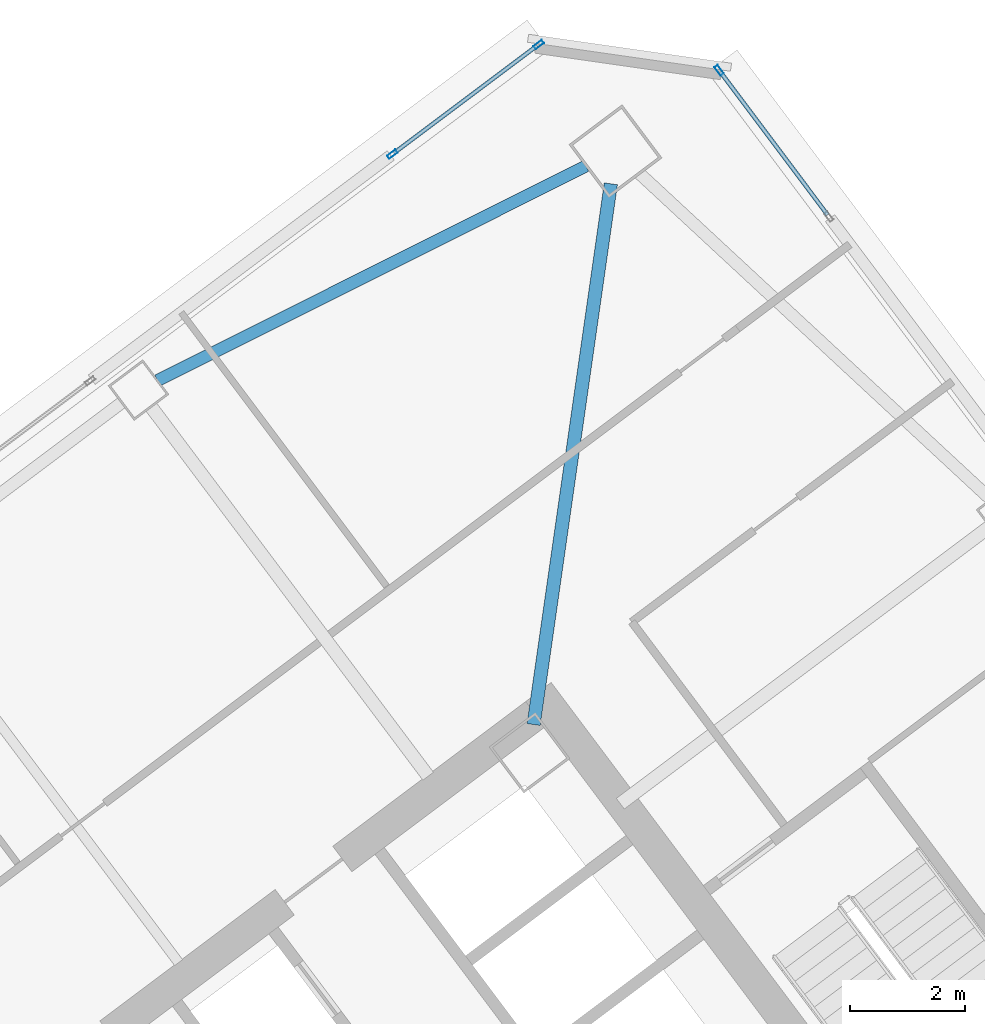
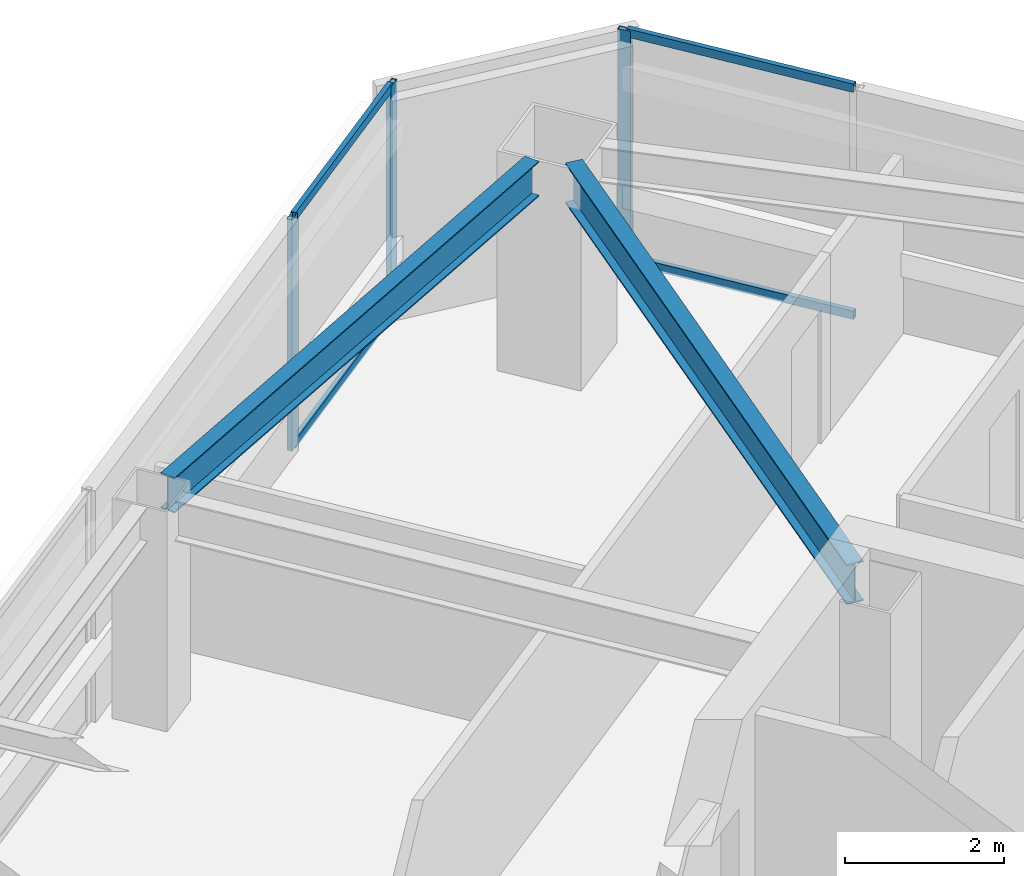
# One storey, part 27 of 41: 7 members, 2 beams, 2 elements without a shape of their own.
"""IFC4 building model written with IfcOpenShell, lengths in metres."""

from ifc_helpers import new_model, si_unit, direction, frame, origin, origin_2d, place, context, subcontext, project, spatial, hollow_rectangle, i_section, extrude, material, material_profile, profile_set, type_object, element, aggregate, save


model = new_model("IFC4")

# Units and contexts
model_context = context("Model", 3, precision=1e-05, world=origin(), true_north=direction((0.0, 1.0)))
body_context = subcontext(model_context, "Body", "Model", "MODEL_VIEW")
ifc_project = project(units=[si_unit("LENGTHUNIT", "METRE"), si_unit("AREAUNIT", "SQUARE_METRE"), si_unit("VOLUMEUNIT", "CUBIC_METRE"), si_unit("PLANEANGLEUNIT", "RADIAN"), si_unit("MASSUNIT", "GRAM", prefix="KILO")], contexts=[model_context])

# Site, building, storey
site_placement = place(None, origin())
site = spatial("IfcSite", under=ifc_project, at=site_placement, CompositionType="ELEMENT")
building_placement = place(site_placement, origin())
building = spatial("IfcBuilding", under=site, at=building_placement, Name="Tashvorn Skyway Center", CompositionType="ELEMENT")
storey_placement = place(building_placement, frame((0.0, 0.0, 171.199951171875)))
storey = spatial("IfcBuildingStorey", under=building, at=storey_placement, Name="L46", CompositionType="ELEMENT", Elevation=171.199951171875)

# Beams
ifc_material_1 = material(Name="Steel ASTM A992 Grade 50", Category="steel")
ifc_material_profile_1 = material_profile(ifc_material_1, i_section(OverallWidth=0.22998046875, OverallDepth=0.616943359375, WebThickness=0.01318359375, FlangeThickness=0.022216796875, at=origin_2d()), Name="W24X94")
ifc_profile_set_1 = profile_set([ifc_material_profile_1], Name="Steel ASTM A992 Grade 50")
beam_type_1 = type_object("IfcBeamType", Name="BM-BEAM-W24X94", PredefinedType="BEAM", material=ifc_profile_set_1)
beam_1_placement = place(storey_placement, frame((116.8193359375, 51.73583984375, 3.0615234375), z_axis=(-0.141417747326, -0.989950009213, 0.0), x_axis=(0.989950009213, -0.141417747326, 0.0)))
element("IfcBeam", 1, at=beam_1_placement, inside=storey, type_object=beam_type_1, Name="Tower 2 L46 Primary Floor Girder MC-NE", PredefinedType="BEAM", context=body_context, shape_type="SweptSolid", body=[
    extrude(i_section(OverallWidth=0.22998046875, OverallDepth=0.616943359375, WebThickness=0.01318359375, FlangeThickness=0.022216796875, at=origin_2d()), origin(), (0.0, 0.0, 1.0), 9.470947265625),
])
ifc_material_profile_2 = material_profile(ifc_material_1, i_section(OverallWidth=0.2109375, OverallDepth=0.5390625, WebThickness=0.01171875, FlangeThickness=0.018798828125, at=origin_2d()), Name="W21X73")
ifc_profile_set_2 = profile_set([ifc_material_profile_2], Name="Steel ASTM A992 Grade 50")
beam_type_2 = type_object("IfcBeamType", Name="BM-SPANDREL-W21X73", PredefinedType="SPANDREL", material=ifc_profile_set_2)
beam_2_placement = place(storey_placement, frame((116.390380859375, 52.044921875, 3.1005859375), z_axis=(-0.894209637559, -0.447648438059, 0.0), x_axis=(0.447648438059, -0.894209637559, 0.0)))
element("IfcBeam", 2, at=beam_2_placement, inside=storey, type_object=beam_type_2, Name="Tower 2 L46 Spandrel Beam 07", PredefinedType="SPANDREL", context=body_context, shape_type="SweptSolid", body=[
    extrude(i_section(OverallWidth=0.2109375, OverallDepth=0.5390625, WebThickness=0.01171875, FlangeThickness=0.018798828125, at=origin_2d()), origin(), (0.0, 0.0, 1.0), 8.308349609375),
])

# Curtain wall, members
ifc_material_2 = material(Name="Thermally broken bronze-anodized aluminium 6063-T6", Category="aluminium")
curtain_wall_type = type_object("IfcCurtainWallType", Name="CW-CW-Z4", PredefinedType="NOTDEFINED", material=ifc_material_2)
curtain_wall_1_placement = place(storey_placement, origin())
curtain_wall_1 = element("IfcCurtainWall", 3, at=curtain_wall_1_placement, inside=storey, type_object=curtain_wall_type, Name="Tower 2 L46 North Unitised Curtain Wall Glazing Group 3", PredefinedType="NOTDEFINED")
ifc_material_profile_3 = material_profile(ifc_material_2, hollow_rectangle(XDim=0.070068359375, YDim=0.179931640625, WallThickness=0.00390625, at=origin_2d()), Name="ALU-MULL-70x180")
ifc_profile_set_3 = profile_set([ifc_material_profile_3], Name="Thermally broken bronze-anodized aluminium 6063-T6")
member_type_1 = type_object("IfcMemberType", Name="CWM-CW-Z4", PredefinedType="MULLION", material=ifc_profile_set_3)
member_1_placement = place(storey_placement, frame((113.031982421875, 52.2490234375, 0.0), z_axis=(0.0, 0.0, 1.0), x_axis=(-0.600000000002, 0.799999999998, 0.0)))
member_1 = element("IfcMember", 4, at=member_1_placement, type_object=member_type_1, Name="CW-Z4 mullion 1", PredefinedType="MULLION", context=body_context, shape_type="SweptSolid", body=[
    extrude(hollow_rectangle(XDim=0.070068359375, YDim=0.179931640625, WallThickness=0.00390625, at=origin_2d()), origin(), (0.0, 0.0, 1.0), 3.550048828125),
])
member_2_placement = place(storey_placement, frame((115.568115234375, 54.15087890625, 0.0), z_axis=(0.0, 0.0, 1.0), x_axis=(-0.600000000002, 0.799999999998, 0.0)))
member_2 = element("IfcMember", 5, at=member_2_placement, type_object=member_type_1, Name="CW-Z4 mullion 2", PredefinedType="MULLION", context=body_context, shape_type="SweptSolid", body=[
    extrude(hollow_rectangle(XDim=0.070068359375, YDim=0.179931640625, WallThickness=0.00390625, at=origin_2d()), origin(), (0.0, 0.0, 1.0), 3.550048828125),
])

# Curtain wall, member
curtain_wall_2_placement = place(storey_placement, origin())
curtain_wall_2 = element("IfcCurtainWall", 6, at=curtain_wall_2_placement, inside=storey, type_object=curtain_wall_type, Name="Tower 2 L46 East Unitised Curtain Wall Glazing Group 1", PredefinedType="NOTDEFINED")
member_3_placement = place(storey_placement, frame((118.697021484375, 53.7041015625, 0.0), z_axis=(0.0, 0.0, 1.0), x_axis=(0.799999999998, 0.600000000002, 0.0)))
member_3 = element("IfcMember", 7, at=member_3_placement, type_object=member_type_1, Name="CW-Z4 mullion 1", PredefinedType="MULLION", context=body_context, shape_type="SweptSolid", body=[
    extrude(hollow_rectangle(XDim=0.070068359375, YDim=0.179931640625, WallThickness=0.00390625, at=origin_2d()), origin(), (0.0, 0.0, 1.0), 3.550048828125),
])

# Member
ifc_material_profile_4 = material_profile(ifc_material_2, hollow_rectangle(XDim=0.070068359375, YDim=0.1298828125, WallThickness=0.00390625, at=origin_2d()), Name="ALU-TRAN-70x130")
ifc_profile_set_4 = profile_set([ifc_material_profile_4], Name="Thermally broken bronze-anodized aluminium 6063-T6")
member_type_2 = type_object("IfcMemberType", Name="CWT-CW-Z4", PredefinedType="USERDEFINED", material=ifc_profile_set_4)
member_4_placement = place(storey_placement, frame((113.06005859375, 52.27001953125, 0.03515625), z_axis=(0.800018901408, 0.599974797295, 0.0), x_axis=(-0.599974797295, 0.800018901408, 0.0)))
member_4 = element("IfcMember", 8, at=member_4_placement, type_object=member_type_2, Name="CW-Z4 transom 1.1", ObjectType="TRANSOM", PredefinedType="USERDEFINED", context=body_context, shape_type="SweptSolid", body=[
    extrude(hollow_rectangle(XDim=0.070068359375, YDim=0.1298828125, WallThickness=0.00390625, at=origin_2d()), origin(), (0.0, 0.0, 1.0), 3.099853515625),
])

member_5_placement = place(storey_placement, frame((113.06005859375, 52.27001953125, 3.51513671875), z_axis=(0.800018901408, 0.599974797295, 0.0), x_axis=(-0.599974797295, 0.800018901408, 0.0)))
member_5 = element("IfcMember", 9, at=member_5_placement, type_object=member_type_2, Name="CW-Z4 transom 1.2", ObjectType="TRANSOM", PredefinedType="USERDEFINED", context=body_context, shape_type="SweptSolid", body=[
    extrude(hollow_rectangle(XDim=0.070068359375, YDim=0.1298828125, WallThickness=0.00390625, at=origin_2d()), origin(), (0.0, 0.0, 1.0), 3.099853515625),
])

aggregate(curtain_wall_1, [member_1, member_2, member_4, member_5])

member_6_placement = place(storey_placement, frame((118.718017578125, 53.676025390625, 0.03515625), z_axis=(0.599974797295, -0.800018901408, 0.0), x_axis=(0.800018901408, 0.599974797295, 0.0)))
member_6 = element("IfcMember", 10, at=member_6_placement, type_object=member_type_2, Name="CW-Z4 transom 1.1", ObjectType="TRANSOM", PredefinedType="USERDEFINED", context=body_context, shape_type="SweptSolid", body=[
    extrude(hollow_rectangle(XDim=0.070068359375, YDim=0.1298828125, WallThickness=0.00390625, at=origin_2d()), origin(), (0.0, 0.0, 1.0), 3.099853515625),
])

member_7_placement = place(storey_placement, frame((118.718017578125, 53.676025390625, 3.51513671875), z_axis=(0.599974797295, -0.800018901408, 0.0), x_axis=(0.800018901408, 0.599974797295, 0.0)))
member_7 = element("IfcMember", 11, at=member_7_placement, type_object=member_type_2, Name="CW-Z4 transom 1.2", ObjectType="TRANSOM", PredefinedType="USERDEFINED", context=body_context, shape_type="SweptSolid", body=[
    extrude(hollow_rectangle(XDim=0.070068359375, YDim=0.1298828125, WallThickness=0.00390625, at=origin_2d()), origin(), (0.0, 0.0, 1.0), 3.099853515625),
])

aggregate(curtain_wall_2, [member_3, member_6, member_7])

save(model, "model.ifc")
